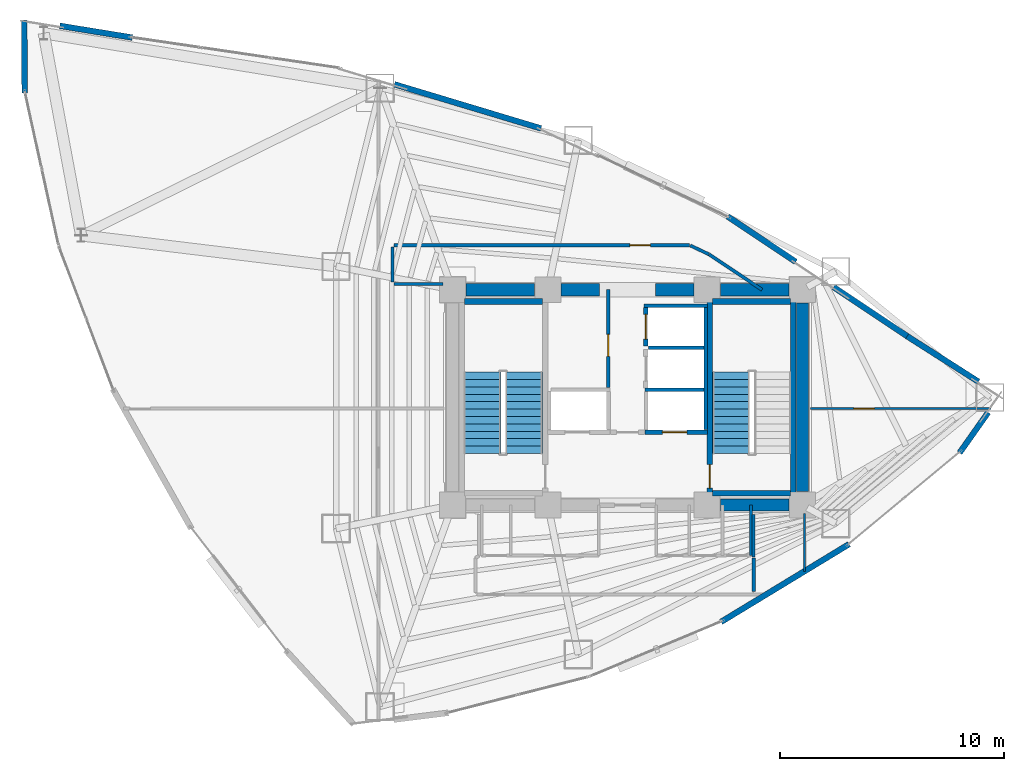
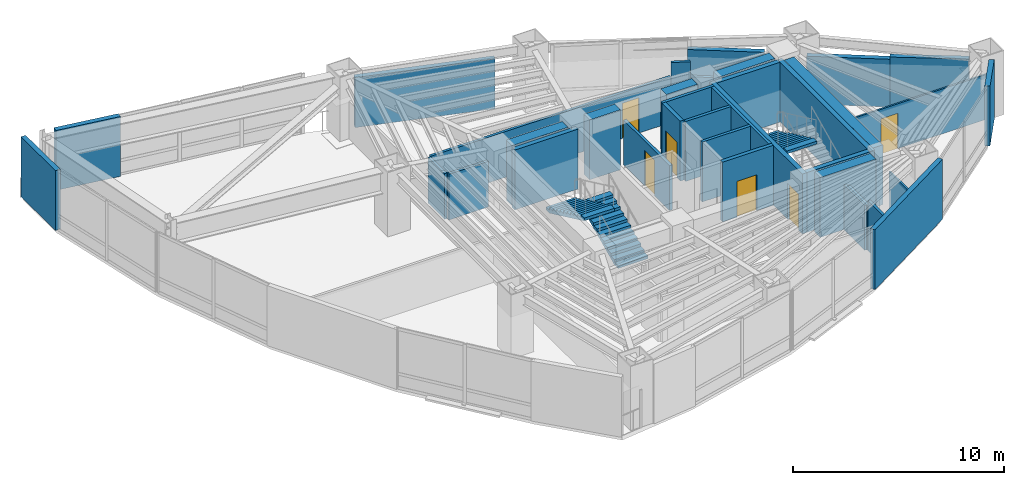
# One storey, part 20 of 23: 36 walls, 6 doors, 3 stair flights, 6 openings, 2 elements without a shape of their own.
"""IFC4 building model written with IfcOpenShell, lengths in metres."""

from ifc_helpers import new_model, si_unit, direction, frame, frame_2d, origin, place, context, subcontext, project, spatial, polyline, rectangle, outline, extrude, material, layer, layer_set, type_object, element, fill, aggregate, save


model = new_model("IFC4")

# Units and contexts
model_context = context("Model", 3, precision=1e-05, world=origin(), true_north=direction((0.0, 1.0)))
body_context = subcontext(model_context, "Body", "Model", "MODEL_VIEW")
ifc_project = project(units=[si_unit("LENGTHUNIT", "METRE"), si_unit("AREAUNIT", "SQUARE_METRE"), si_unit("VOLUMEUNIT", "CUBIC_METRE"), si_unit("PLANEANGLEUNIT", "RADIAN"), si_unit("MASSUNIT", "GRAM", prefix="KILO")], contexts=[model_context])

# Site, building, storey
site_placement = place(None, origin())
site = spatial("IfcSite", under=ifc_project, at=site_placement, CompositionType="ELEMENT")
building_placement = place(site_placement, origin())
building = spatial("IfcBuilding", under=site, at=building_placement, Name="Menara Vayukalpa", CompositionType="ELEMENT")
storey_placement = place(building_placement, frame((0.0, 0.0, 111.419921875)))
storey = spatial("IfcBuildingStorey", under=building, at=storey_placement, Name="L27", CompositionType="ELEMENT", Elevation=111.419921875)

# Walls
ifc_material_1 = material(Name="Concrete C60/75", Category="concrete")
ifc_layer_1 = layer(ifc_material_1, 0.550048828125)
ifc_layer_set_1 = layer_set([ifc_layer_1], Name="Concrete C60/75")
wall_type_1 = type_object("IfcWallType", Name="WAL-CW550", PredefinedType="SHEAR", material=ifc_layer_set_1)
wall_1_placement = place(storey_placement, frame((29.7451171875, 17.199951171875, 0.0), z_axis=(0.0, 0.0, 1.0), x_axis=(1.0, 0.0, 0.0)))
element("IfcWall", 1, at=wall_1_placement, inside=storey, type_object=wall_type_1, Name="L27 Buttressed Core Shear Wall CWS4", PredefinedType="SHEAR", context=body_context, shape_type="SweptSolid", body=[
    extrude(rectangle(XDim=3.059814453125, YDim=0.550048828125, at=frame_2d((1.52978515625, 0.0))), origin(), (0.0, 0.0, 1.0), 3.469970703125),
])
wall_2_placement = place(storey_placement, frame((18.39501953125, 26.800048828125, 0.0), z_axis=(0.0, 0.0, 1.0), x_axis=(1.0, 0.0, 0.0)))
element("IfcWall", 2, at=wall_2_placement, inside=storey, type_object=wall_type_1, Name="L27 Buttressed Core Shear Wall CWN1", PredefinedType="SHEAR", context=body_context, shape_type="SweptSolid", body=[
    extrude(rectangle(XDim=3.06005859375, YDim=0.550048828125, at=frame_2d((1.530029296875, 0.0))), origin(), (0.0, 0.0, 1.0), 3.469970703125),
])
wall_3_placement = place(storey_placement, frame((22.64501953125, 26.800048828125, 0.0), z_axis=(0.0, 0.0, 1.0), x_axis=(1.0, 0.0, 0.0)))
element("IfcWall", 3, at=wall_3_placement, inside=storey, type_object=wall_type_1, Name="L27 Buttressed Core Shear Wall CWN2", PredefinedType="SHEAR", context=body_context, shape_type="SweptSolid", body=[
    extrude(rectangle(XDim=1.705078125, YDim=0.550048828125, at=frame_2d((0.8525390625, 0.0))), origin(), (0.0, 0.0, 1.0), 3.469970703125),
])
wall_4_placement = place(storey_placement, frame((26.85009765625, 26.800048828125, 0.0), z_axis=(0.0, 0.0, 1.0), x_axis=(1.0, 0.0, 0.0)))
element("IfcWall", 4, at=wall_4_placement, inside=storey, type_object=wall_type_1, Name="L27 Buttressed Core Shear Wall CWN3", PredefinedType="SHEAR", context=body_context, shape_type="SweptSolid", body=[
    extrude(rectangle(XDim=1.704833984375, YDim=0.550048828125, at=frame_2d((0.8525390625, 0.0))), origin(), (0.0, 0.0, 1.0), 3.469970703125),
])
wall_5_placement = place(storey_placement, frame((29.7451171875, 26.800048828125, 0.0), z_axis=(0.0, 0.0, 1.0), x_axis=(1.0, 0.0, 0.0)))
element("IfcWall", 5, at=wall_5_placement, inside=storey, type_object=wall_type_1, Name="L27 Buttressed Core Shear Wall CWN4", PredefinedType="SHEAR", context=body_context, shape_type="SweptSolid", body=[
    extrude(rectangle(XDim=3.059814453125, YDim=0.550048828125, at=frame_2d((1.52978515625, 0.0))), origin(), (0.0, 0.0, 1.0), 3.469970703125),
])
wall_6_placement = place(storey_placement, frame((33.39990234375, 17.794921875, 0.0), z_axis=(0.0, 0.0, 1.0), x_axis=(0.0, 1.0, 0.0)))
element("IfcWall", 6, at=wall_6_placement, inside=storey, type_object=wall_type_1, Name="L27 Buttressed Core Shear Wall CWE1", PredefinedType="SHEAR", context=body_context, shape_type="SweptSolid", body=[
    extrude(rectangle(XDim=8.41015625, YDim=0.550048828125, at=frame_2d((4.205078125, 0.0))), origin(), (0.0, 0.0, 1.0), 3.469970703125),
])
ifc_material_2 = material(Name="Insulated Precast Concrete C40/50", Category="concrete")
ifc_layer_2 = layer(ifc_material_2, 0.260009765625)
ifc_layer_set_2 = layer_set([ifc_layer_2], Name="Insulated Precast Concrete C40/50")
wall_type_2 = type_object("IfcWallType", Name="WAL-EXT260", PredefinedType="PARTITIONING", material=ifc_layer_set_2)
wall_7_placement = place(storey_placement, frame((41.682373046875, 21.331298828125, 0.0), z_axis=(0.0, 0.0, 1.0), x_axis=(-0.577134204686, -0.816649318729, 0.0)))
element("IfcWall", 7, at=wall_7_placement, inside=storey, type_object=wall_type_2, Name="L27 Perimeter Terracotta Pier Wall 01", PredefinedType="PARTITIONING", context=body_context, shape_type="SweptSolid", body=[
    extrude(rectangle(XDim=2.2099609375, YDim=0.260009765625, at=frame_2d((1.10498046875, 0.0))), origin(), (0.0, 0.0, 1.0), 3.469970703125),
])
wall_8_placement = place(storey_placement, frame((38.07177734375, 24.726806640625, 0.0), z_axis=(0.0, 0.0, 1.0), x_axis=(0.843033549628, -0.537860980367, 0.0)))
element("IfcWall", 8, at=wall_8_placement, inside=storey, type_object=wall_type_2, Name="L27 Perimeter Terracotta Pier Wall 02", PredefinedType="PARTITIONING", context=body_context, shape_type="SweptSolid", body=[
    extrude(rectangle(XDim=3.765625, YDim=0.260009765625, at=frame_2d((1.8828125, 0.0))), origin(), (0.0, 0.0, 1.0), 2.900146484375),
])
wall_9_placement = place(storey_placement, frame((34.783203125, 26.92236328125, 0.0), z_axis=(0.0, 0.0, 1.0), x_axis=(0.831718676225, -0.555197301523, 0.0)))
element("IfcWall", 9, at=wall_9_placement, inside=storey, type_object=wall_type_2, Name="L27 Perimeter Terracotta Pier Wall 03", PredefinedType="PARTITIONING", context=body_context, shape_type="SweptSolid", body=[
    extrude(rectangle(XDim=3.966064453125, YDim=0.260009765625, at=frame_2d((1.98291015625, 0.0))), origin(), (0.0, 0.0, 1.0), 2.77001953125),
])
wall_10_placement = place(storey_placement, frame((30.069580078125, 30.06884765625, 0.0), z_axis=(0.0, 0.0, 1.0), x_axis=(0.831720838908, -0.555194061681, 0.0)))
element("IfcWall", 10, at=wall_10_placement, inside=storey, type_object=wall_type_2, Name="L27 Perimeter Terracotta Pier Wall 04", PredefinedType="PARTITIONING", context=body_context, shape_type="SweptSolid", body=[
    extrude(rectangle(XDim=3.64990234375, YDim=0.260009765625, at=frame_2d((1.824951171875, 0.0))), origin(), (0.0, 0.0, 1.0), 2.900146484375),
])
wall_11_placement = place(storey_placement, frame((15.205078125, 35.960693359375, 0.0), z_axis=(0.0, 0.0, 1.0), x_axis=(0.957547425539, -0.288275784351, 0.0)))
element("IfcWall", 11, at=wall_11_placement, inside=storey, type_object=wall_type_2, Name="L27 Perimeter Terracotta Pier Wall 06", PredefinedType="PARTITIONING", context=body_context, shape_type="SweptSolid", body=[
    extrude(rectangle(XDim=6.830322265625, YDim=0.260009765625, at=frame_2d((3.4150390625, 0.0))), origin(), (0.0, 0.0, 1.0), 2.900146484375),
])
wall_12_placement = place(storey_placement, frame((0.28759765625, 38.567626953125, 0.0), z_axis=(0.0, 0.0, 1.0), x_axis=(0.987086724939, -0.160186758031, 0.0)))
element("IfcWall", 12, at=wall_12_placement, inside=storey, type_object=wall_type_2, Name="L27 Perimeter Terracotta Pier Wall 08", PredefinedType="PARTITIONING", context=body_context, shape_type="SweptSolid", body=[
    extrude(rectangle(XDim=3.281494140625, YDim=0.260009765625, at=frame_2d((1.640625, 0.0))), origin(), (0.0, 0.0, 1.0), 3.469970703125),
])
wall_13_placement = place(storey_placement, frame((-1.2744140625, 35.567626953125, 0.0), z_axis=(0.0, 0.0, 1.0), x_axis=(-0.007419416555, 0.99997247575, 0.0)))
element("IfcWall", 13, at=wall_13_placement, inside=storey, type_object=wall_type_2, Name="L27 Perimeter Terracotta Pier Wall 09", PredefinedType="PARTITIONING", context=body_context, shape_type="SweptSolid", body=[
    extrude(rectangle(XDim=3.257568359375, YDim=0.260009765625, at=frame_2d((1.62890625, 0.0))), origin(), (0.0, 0.0, 1.0), 3.469970703125),
])
wall_14_placement = place(storey_placement, frame((35.47998046875, 15.455078125, 0.0), z_axis=(0.0, 0.0, 1.0), x_axis=(-0.854673977685, -0.51916509115, 0.0)))
element("IfcWall", 14, at=wall_14_placement, inside=storey, type_object=wall_type_2, Name="L27 Perimeter Terracotta Pier Wall 18", PredefinedType="PARTITIONING", context=body_context, shape_type="SweptSolid", body=[
    extrude(rectangle(XDim=6.678466796875, YDim=0.260009765625, at=frame_2d((3.33935546875, 0.0))), origin(), (0.0, 0.0, 1.0), 3.469970703125),
])
ifc_material_3 = material(Name="Lightweight Concrete Blockwork C16/20", Category="masonry")
ifc_layer_3 = layer(ifc_material_3, 0.159912109375)
ifc_layer_set_3 = layer_set([ifc_layer_3], Name="Lightweight Concrete Blockwork C16/20")
wall_type_3 = type_object("IfcWallType", Name="WAL-FR150", PredefinedType="PARTITIONING", material=ifc_layer_set_3)
wall_15_placement = place(storey_placement, frame((29.094970703125, 20.56005859375, 0.0), z_axis=(0.0, 0.0, 1.0), x_axis=(0.0, 1.0, 0.0)))
element("IfcWall", 15, at=wall_15_placement, inside=storey, type_object=wall_type_3, Name="L27 Interior Partition IW-L27-SHW-EE", PredefinedType="PARTITIONING", context=body_context, shape_type="SweptSolid", body=[
    extrude(rectangle(XDim=5.449951171875, YDim=0.159912109375, at=frame_2d((2.72509765625, 0.0))), origin(), (0.0, 0.0, 1.0), 3.469970703125),
])
wall_16_placement = place(storey_placement, frame((26.3701171875, 22.344970703125, 0.0), z_axis=(0.0, 0.0, 1.0), x_axis=(1.0, 0.0, 0.0)))
element("IfcWall", 16, at=wall_16_placement, inside=storey, type_object=wall_type_3, Name="L27 Interior Partition IW-L27-SHM-E13", PredefinedType="PARTITIONING", context=body_context, shape_type="SweptSolid", body=[
    extrude(rectangle(XDim=2.64990234375, YDim=0.159912109375, at=frame_2d((1.324951171875, 0.0))), origin(), (0.0, 0.0, 1.0), 3.469970703125),
])
wall_17_placement = place(storey_placement, frame((26.530029296875, 24.215087890625, 0.0), z_axis=(0.0, 0.0, 1.0), x_axis=(1.0, 0.0, 0.0)))
element("IfcWall", 17, at=wall_17_placement, inside=storey, type_object=wall_type_3, Name="L27 Interior Partition IW-L27-SHM-E32", PredefinedType="PARTITIONING", context=body_context, shape_type="SweptSolid", body=[
    extrude(rectangle(XDim=2.489990234375, YDim=0.159912109375, at=frame_2d((1.2451171875, 0.0))), origin(), (0.0, 0.0, 1.0), 3.469970703125),
])
wall_18_placement = place(storey_placement, frame((26.340087890625, 26.0849609375, 0.0), z_axis=(0.0, 0.0, 1.0), x_axis=(1.0, 0.0, 0.0)))
element("IfcWall", 18, at=wall_18_placement, inside=storey, type_object=wall_type_3, Name="L27 Interior Partition IW-L27-SHM-E2N", PredefinedType="PARTITIONING", context=body_context, shape_type="SweptSolid", body=[
    extrude(rectangle(XDim=2.829833984375, YDim=0.159912109375, at=frame_2d((1.4150390625, 0.0))), origin(), (0.0, 0.0, 1.0), 3.469970703125),
])

# Wall, opening, door
wall_19_placement = place(storey_placement, frame((24.739990234375, 22.429931640625, 0.0), z_axis=(0.0, 0.0, 1.0), x_axis=(0.0, 1.0, 0.0)))
wall_19 = element("IfcWall", 19, at=wall_19_placement, inside=storey, type_object=wall_type_3, Name="L27 Interior Partition IW-L27-LV7W", PredefinedType="PARTITIONING", context=body_context, shape_type="SweptSolid", body=[
    extrude(rectangle(XDim=4.3701171875, YDim=0.159912109375, at=frame_2d((2.18505859375, 0.0))), origin(), (0.0, 0.0, 1.0), 2.60009765625),
])
opening_1_placement = place(wall_19_placement, frame((1.39990234375, 0.0, 0.0)))
opening_1 = element("IfcOpeningElement", 20, at=opening_1_placement, cuts=wall_19, Name="Opening ID3", PredefinedType="OPENING", context=body_context, shape_type="SweptSolid", body=[
    extrude(rectangle(XDim=0.97998046875, YDim=2.06005859375, at=frame_2d((0.489990234375, 1.030029296875))), frame((0.0, 0.08984375, 0.0), z_axis=(0.0, -1.0, 0.0), x_axis=(1.0, 0.0, 0.0)), (0.0, 0.0, 1.0), 0.179931640625),
])
ifc_material_4 = material(Name="Fire-Rated Powder-Coated Steel Door", Category="steel")
door_type_1 = type_object("IfcDoorType", Name="DR-FD60", OperationType="NOTDEFINED", PredefinedType="DOOR", material=ifc_material_4)
door_1_placement = place(opening_1_placement, origin())
door_1 = element("IfcDoor", 21, at=door_1_placement, inside=storey, type_object=door_type_1, Name="L27 Interior Door DR-L27-LV7W", OperationType="SINGLE_SWING_RIGHT", OverallHeight=2.06005859375, OverallWidth=0.97998046875, PredefinedType="DOOR", context=body_context, shape_type="SweptSolid", body=[
    extrude(rectangle(XDim=0.97998046875, YDim=2.06005859375, at=frame_2d((0.489990234375, 1.030029296875))), frame((0.0, 0.02490234375, 0.0), z_axis=(0.0, -1.0, 0.0), x_axis=(1.0, 0.0, 0.0)), (0.0, 0.0, 1.0), 0.050048828125),
])
fill(opening_1, door_1)

ifc_material_5 = material(Name="Lightweight Concrete Blockwork C16/20", Category="masonry")
ifc_layer_4 = layer(ifc_material_5, 0.199951171875)
ifc_layer_set_4 = layer_set([ifc_layer_4], Name="Lightweight Concrete Blockwork C16/20")
wall_type_4 = type_object("IfcWallType", Name="WAL-FR200", PredefinedType="PARTITIONING", material=ifc_layer_set_4)
wall_20_placement = place(storey_placement, frame((26.3701171875, 20.449951171875, 0.0), z_axis=(0.0, 0.0, 1.0), x_axis=(1.0, 0.0, 0.0)))
wall_20 = element("IfcWall", 22, at=wall_20_placement, inside=storey, type_object=wall_type_4, Name="L27 Interior Partition IW-L27-SH-E1", PredefinedType="PARTITIONING", context=body_context, shape_type="SweptSolid", body=[
    extrude(rectangle(XDim=2.7998046875, YDim=0.199951171875, at=frame_2d((1.39990234375, 0.0))), origin(), (0.0, 0.0, 1.0), 3.469970703125),
])
opening_2_placement = place(wall_20_placement, frame((0.780029296875, 0.0, 0.0)))
opening_2 = element("IfcOpeningElement", 23, at=opening_2_placement, cuts=wall_20, Name="Opening LD1", PredefinedType="OPENING", context=body_context, shape_type="SweptSolid", body=[
    extrude(rectangle(XDim=1.10009765625, YDim=2.080078125, at=frame_2d((0.550048828125, 1.0400390625))), frame((0.0, 0.10986328125, 0.0), z_axis=(0.0, -1.0, 0.0), x_axis=(1.0, 0.0, 0.0)), (0.0, 0.0, 1.0), 0.219970703125),
])
ifc_material_6 = material(Name="Brushed Stainless Steel 316 Lift Door", Category="steel")
door_type_2 = type_object("IfcDoorType", Name="DR-LD110", OperationType="NOTDEFINED", PredefinedType="DOOR", material=ifc_material_6)
door_2_placement = place(opening_2_placement, origin())
door_2 = element("IfcDoor", 24, at=door_2_placement, inside=storey, type_object=door_type_2, Name="L27 Interior Door DR-L27-LD-E1", OperationType="DOUBLE_DOOR_SLIDING", OverallHeight=2.080078125, OverallWidth=1.10009765625, PredefinedType="DOOR", context=body_context, shape_type="SweptSolid", body=[
    extrude(rectangle(XDim=1.10009765625, YDim=2.080078125, at=frame_2d((0.550048828125, 1.0400390625))), frame((0.0, 0.02490234375, 0.0), z_axis=(0.0, -1.0, 0.0), x_axis=(1.0, 0.0, 0.0)), (0.0, 0.0, 1.0), 0.050048828125),
])
fill(opening_2, door_2)

wall_21_placement = place(storey_placement, frame((26.419921875, 24.2900390625, 0.0), z_axis=(0.0, 0.0, 1.0), x_axis=(0.0, 1.0, 0.0)))
wall_21 = element("IfcWall", 25, at=wall_21_placement, inside=storey, type_object=wall_type_4, Name="L27 Interior Partition IW-L27-SH-E2", PredefinedType="PARTITIONING", context=body_context, shape_type="SweptSolid", body=[
    extrude(rectangle(XDim=1.719970703125, YDim=0.199951171875, at=frame_2d((0.85986328125, 0.0))), origin(), (0.0, 0.0, 1.0), 3.469970703125),
])
opening_3_placement = place(wall_21_placement, frame((0.31005859375, 0.0, 0.0)))
opening_3 = element("IfcOpeningElement", 26, at=opening_3_placement, cuts=wall_21, Name="Opening LD1", PredefinedType="OPENING", context=body_context, shape_type="SweptSolid", body=[
    extrude(rectangle(XDim=1.10009765625, YDim=2.080078125, at=frame_2d((0.550048828125, 1.0400390625))), frame((0.0, 0.10986328125, 0.0), z_axis=(0.0, -1.0, 0.0), x_axis=(1.0, 0.0, 0.0)), (0.0, 0.0, 1.0), 0.219970703125),
])
door_3_placement = place(opening_3_placement, origin())
door_3 = element("IfcDoor", 27, at=door_3_placement, inside=storey, type_object=door_type_2, Name="L27 Interior Door DR-L27-LD-E2", OperationType="DOUBLE_DOOR_SLIDING", OverallHeight=2.080078125, OverallWidth=1.10009765625, PredefinedType="DOOR", context=body_context, shape_type="SweptSolid", body=[
    extrude(rectangle(XDim=1.10009765625, YDim=2.080078125, at=frame_2d((0.550048828125, 1.0400390625))), frame((0.0, 0.02490234375, 0.0), z_axis=(0.0, -1.0, 0.0), x_axis=(1.0, 0.0, 0.0)), (0.0, 0.0, 1.0), 0.050048828125),
])
fill(opening_3, door_3)

# Wall
ifc_material_7 = material(Name="Glazed Demountable Office Partition", Category="glass")
ifc_layer_5 = layer(ifc_material_7, 0.094970703125)
ifc_layer_set_5 = layer_set([ifc_layer_5], Name="Glazed Demountable Office Partition")
wall_type_5 = type_object("IfcWallType", Name="WAL-PT100", PredefinedType="PARTITIONING", material=ifc_layer_set_5)
wall_22_placement = place(storey_placement, frame((33.5, 14.24072265625, 0.0), z_axis=(0.0, 0.0, 1.0), x_axis=(0.0, 1.0, 0.0)))
element("IfcWall", 28, at=wall_22_placement, inside=storey, type_object=wall_type_5, Name="L27 Interior Partition IW-L27-RDIV02", PredefinedType="PARTITIONING", context=body_context, shape_type="SweptSolid", body=[
    extrude(rectangle(XDim=2.58935546875, YDim=0.094970703125, at=frame_2d((1.294677734375, 0.0))), origin(), (0.0, 0.0, 1.0), 2.60009765625),
])

# Wall, opening, door
wall_23_placement = place(storey_placement, frame((33.77001953125, 21.5, 0.0), z_axis=(0.0, 0.0, 1.0), x_axis=(1.0, 0.0, 0.0)))
wall_23 = element("IfcWall", 29, at=wall_23_placement, inside=storey, type_object=wall_type_5, Name="L27 Interior Partition IW-L27-RDIV04", PredefinedType="PARTITIONING", context=body_context, shape_type="SweptSolid", body=[
    extrude(rectangle(XDim=8.043701171875, YDim=0.094970703125, at=frame_2d((4.02197265625, 0.0))), origin(), (0.0, 0.0, 1.0), 2.60009765625),
])
opening_4_placement = place(wall_23_placement, frame((1.9208984375, 0.0, 0.0)))
opening_4 = element("IfcOpeningElement", 30, at=opening_4_placement, cuts=wall_23, Name="Opening ID6", PredefinedType="OPENING", context=body_context, shape_type="SweptSolid", body=[
    extrude(rectangle(XDim=0.919921875, YDim=2.050048828125, at=frame_2d((0.4599609375, 1.02490234375))), frame((0.0, 0.057373046875, 0.0), z_axis=(0.0, -1.0, 0.0), x_axis=(1.0, 0.0, 0.0)), (0.0, 0.0, 1.0), 0.114990234375),
])
ifc_material_8 = material(Name="Acoustic Hardwood Veneer Timber Door", Category="wood")
door_type_3 = type_object("IfcDoorType", Name="DR-INT92", OperationType="NOTDEFINED", PredefinedType="DOOR", material=ifc_material_8)
door_4_placement = place(opening_4_placement, origin())
door_4 = element("IfcDoor", 31, at=door_4_placement, inside=storey, type_object=door_type_3, Name="L27 Interior Door DR-L27-STE03", OperationType="SINGLE_SWING_RIGHT", OverallHeight=2.050048828125, OverallWidth=0.919921875, PredefinedType="DOOR", context=body_context, shape_type="SweptSolid", body=[
    extrude(rectangle(XDim=0.919921875, YDim=2.050048828125, at=frame_2d((0.4599609375, 1.02490234375))), frame((0.0, 0.02490234375, 0.0), z_axis=(0.0, -1.0, 0.0), x_axis=(1.0, 0.0, 0.0)), (0.0, 0.0, 1.0), 0.050048828125),
])
fill(opening_4, door_4)

# Walls
ifc_material_9 = material(Name="Gypsum Drywall Steel Stud Assembly", Category="steel")
ifc_layer_6 = layer(ifc_material_9, 0.125)
ifc_layer_set_6 = layer_set([ifc_layer_6], Name="Gypsum Drywall Steel Stud Assembly")
wall_type_6 = type_object("IfcWallType", Name="WAL-PT125", PredefinedType="PARTITIONING", material=ifc_layer_set_6)
wall_24_placement = place(storey_placement, frame((31.10009765625, 14.949951171875, 0.0), z_axis=(0.0, 0.0, 1.0), x_axis=(0.0, 1.0, 0.0)))
element("IfcWall", 32, at=wall_24_placement, inside=storey, type_object=wall_type_6, Name="L27 Interior Partition IW-L27-SVCD-07", PredefinedType="PARTITIONING", context=body_context, shape_type="SweptSolid", body=[
    extrude(rectangle(XDim=2.25, YDim=0.125, at=frame_2d((1.125, 0.0))), origin(), (0.0, 0.0, 1.0), 2.60009765625),
])
ifc_material_10 = material(Name="Gypsum Drywall Acoustic Stud Assembly", Category="masonry")
ifc_layer_7 = layer(ifc_material_10, 0.14501953125)
ifc_layer_set_7 = layer_set([ifc_layer_7], Name="Gypsum Drywall Acoustic Stud Assembly")
wall_type_7 = type_object("IfcWallType", Name="WAL-PT150", PredefinedType="PARTITIONING", material=ifc_layer_set_7)
wall_25_placement = place(storey_placement, frame((31.22998046875, 13.351318359375, 0.0), z_axis=(0.0, 0.0, 1.0), x_axis=(0.0, 1.0, 0.0)))
element("IfcWall", 33, at=wall_25_placement, inside=storey, type_object=wall_type_7, Name="L27 Interior Partition IW-L27-CRM02-4", PredefinedType="PARTITIONING", context=body_context, shape_type="SweptSolid", body=[
    extrude(rectangle(XDim=1.498779296875, YDim=0.14501953125, at=frame_2d((0.74951171875, 0.0))), origin(), (0.0, 0.0, 1.0), 2.900146484375),
])
wall_26_placement = place(storey_placement, frame((31.219970703125, 14.888671875, 0.0), z_axis=(0.0, 0.0, 1.0), x_axis=(0.0, 1.0, 0.0)))
element("IfcWall", 34, at=wall_26_placement, inside=storey, type_object=wall_type_7, Name="L27 Interior Partition IW-L27-CRM02-5", PredefinedType="PARTITIONING", context=body_context, shape_type="SweptSolid", body=[
    extrude(rectangle(XDim=1.891357421875, YDim=0.14501953125, at=frame_2d((0.94580078125, 0.0))), origin(), (0.0, 0.0, 1.0), 2.60009765625),
])
wall_27_placement = place(storey_placement, frame((31.598388671875, 26.800048828125, 0.0), z_axis=(0.0, 0.0, 1.0), x_axis=(-0.831758510993, 0.555137622028, 0.0)))
element("IfcWall", 35, at=wall_27_placement, inside=storey, type_object=wall_type_7, Name="L27 Interior Partition IW-L27-CRM04-1", PredefinedType="PARTITIONING", context=body_context, shape_type="SweptSolid", body=[
    extrude(rectangle(XDim=2.8330078125, YDim=0.14501953125, at=frame_2d((1.41650390625, 0.0))), origin(), (0.0, 0.0, 1.0), 2.60009765625),
])
wall_28_placement = place(storey_placement, frame((29.231689453125, 28.378662109375, 0.0), z_axis=(0.0, 0.0, 1.0), x_axis=(-0.903829701814, 0.427892358098, 0.0)))
element("IfcWall", 36, at=wall_28_placement, inside=storey, type_object=wall_type_7, Name="L27 Interior Partition IW-L27-CRM04-2", PredefinedType="PARTITIONING", context=body_context, shape_type="SweptSolid", body=[
    extrude(rectangle(XDim=0.919677734375, YDim=0.14501953125, at=frame_2d((0.4599609375, 0.0))), origin(), (0.0, 0.0, 1.0), 3.469970703125),
])

# Wall, opening, door
wall_29_placement = place(storey_placement, frame((28.3662109375, 28.780029296875, 0.0), z_axis=(0.0, 0.0, 1.0), x_axis=(-1.0, 0.0, 0.0)))
wall_29 = element("IfcWall", 37, at=wall_29_placement, inside=storey, type_object=wall_type_7, Name="L27 Interior Partition IW-L27-CRM04-3", PredefinedType="PARTITIONING", context=body_context, shape_type="SweptSolid", body=[
    extrude(rectangle(XDim=13.166259765625, YDim=0.14501953125, at=frame_2d((6.5830078125, 0.0))), origin(), (0.0, 0.0, 1.0), 2.650146484375),
])
opening_5_placement = place(wall_29_placement, frame((1.74072265625, 0.0, 0.0)))
opening_5 = element("IfcOpeningElement", 38, at=opening_5_placement, cuts=wall_29, Name="Opening ID6", PredefinedType="OPENING", context=body_context, shape_type="SweptSolid", body=[
    extrude(rectangle(XDim=0.919921875, YDim=2.050048828125, at=frame_2d((0.4599609375, 1.02490234375))), frame((0.0, 0.08251953125, 0.0), z_axis=(0.0, -1.0, 0.0), x_axis=(1.0, 0.0, 0.0)), (0.0, 0.0, 1.0), 0.1650390625),
])
door_5_placement = place(opening_5_placement, origin())
door_5 = element("IfcDoor", 39, at=door_5_placement, inside=storey, type_object=door_type_3, Name="L27 Interior Door DR-L27-RM04", OperationType="SINGLE_SWING_LEFT", OverallHeight=2.050048828125, OverallWidth=0.919921875, PredefinedType="DOOR", context=body_context, shape_type="SweptSolid", body=[
    extrude(rectangle(XDim=0.919921875, YDim=2.050048828125, at=frame_2d((0.4599609375, 1.02490234375))), frame((0.0, 0.02490234375, 0.0), z_axis=(0.0, -1.0, 0.0), x_axis=(1.0, 0.0, 0.0)), (0.0, 0.0, 1.0), 0.050048828125),
])
fill(opening_5, door_5)

# Walls
wall_30_placement = place(storey_placement, frame((15.1201171875, 28.699951171875, 0.0), z_axis=(0.0, 0.0, 1.0), x_axis=(0.0, -1.0, 0.0)))
element("IfcWall", 40, at=wall_30_placement, inside=storey, type_object=wall_type_7, Name="L27 Interior Partition IW-L27-CRM04-4", PredefinedType="PARTITIONING", context=body_context, shape_type="SweptSolid", body=[
    extrude(rectangle(XDim=1.56005859375, YDim=0.14501953125, at=frame_2d((0.780029296875, 0.0))), origin(), (0.0, 0.0, 1.0), 2.650146484375),
])
wall_31_placement = place(storey_placement, frame((15.199951171875, 27.06005859375, 0.0), z_axis=(0.0, 0.0, 1.0), x_axis=(1.0, 0.0, 0.0)))
element("IfcWall", 41, at=wall_31_placement, inside=storey, type_object=wall_type_7, Name="L27 Interior Partition IW-L27-CRM04-5", PredefinedType="PARTITIONING", context=body_context, shape_type="SweptSolid", body=[
    extrude(rectangle(XDim=2.179931640625, YDim=0.14501953125, at=frame_2d((1.08984375, 0.0))), origin(), (0.0, 0.0, 1.0), 2.650146484375),
])
ifc_material_11 = material(Name="Concrete C50/60", Category="concrete")
ifc_layer_8 = layer(ifc_material_11, 0.25)
ifc_layer_set_8 = layer_set([ifc_layer_8], Name="Concrete C50/60")
wall_type_8 = type_object("IfcWallType", Name="WAL-SW250", PredefinedType="SHEAR", material=ifc_layer_set_8)
wall_32_placement = place(storey_placement, frame((18.3291015625, 26.27490234375, 0.0), z_axis=(0.0, 0.0, 1.0), x_axis=(1.0, 0.0, 0.0)))
element("IfcWall", 42, at=wall_32_placement, inside=storey, type_object=wall_type_8, Name="L27 ST1 Structural Stair Shaft Wall N", PredefinedType="SHEAR", context=body_context, shape_type="SweptSolid", body=[
    extrude(rectangle(XDim=3.470947265625, YDim=0.25, at=frame_2d((1.7353515625, 0.0))), origin(), (0.0, 0.0, 1.0), 3.469970703125),
])

# Wall, opening, door
wall_33_placement = place(storey_placement, frame((29.27490234375, 17.60009765625, 0.0), z_axis=(0.0, 0.0, 1.0), x_axis=(0.0, 1.0, 0.0)))
wall_33 = element("IfcWall", 43, at=wall_33_placement, inside=storey, type_object=wall_type_8, Name="L27 ST2 Structural Stair Shaft Wall W", PredefinedType="SHEAR", context=body_context, shape_type="SweptSolid", body=[
    extrude(rectangle(XDim=8.7998046875, YDim=0.25, at=frame_2d((4.39990234375, 0.0))), origin(), (0.0, 0.0, 1.0), 3.469970703125),
])
opening_6_placement = place(wall_33_placement, frame((0.35009765625, 0.0, 0.0)))
opening_6 = element("IfcOpeningElement", 44, at=opening_6_placement, cuts=wall_33, Name="Opening ID1", PredefinedType="OPENING", context=body_context, shape_type="SweptSolid", body=[
    extrude(rectangle(XDim=1.050048828125, YDim=2.080078125, at=frame_2d((0.52490234375, 1.0400390625))), frame((0.0, 0.135009765625, 0.0), z_axis=(0.0, -1.0, 0.0), x_axis=(1.0, 0.0, 0.0)), (0.0, 0.0, 1.0), 0.27001953125),
])
ifc_material_12 = material(Name="Fire-Rated Powder-Coated Steel Door", Category="steel")
door_type_4 = type_object("IfcDoorType", Name="DR-FD120", OperationType="NOTDEFINED", PredefinedType="DOOR", material=ifc_material_12)
door_6_placement = place(opening_6_placement, origin())
door_6 = element("IfcDoor", 45, at=door_6_placement, inside=storey, type_object=door_type_4, Name="L27 Stair Exit Door DR-L27-ST2", OperationType="SINGLE_SWING_RIGHT", OverallHeight=2.080078125, OverallWidth=1.050048828125, PredefinedType="DOOR", context=body_context, shape_type="SweptSolid", body=[
    extrude(rectangle(XDim=1.050048828125, YDim=2.080078125, at=frame_2d((0.52490234375, 1.0400390625))), frame((0.0, 0.02490234375, 0.0), z_axis=(0.0, -1.0, 0.0), x_axis=(1.0, 0.0, 0.0)), (0.0, 0.0, 1.0), 0.050048828125),
])
fill(opening_6, door_6)

# Walls
wall_34_placement = place(storey_placement, frame((32.99609375, 17.60009765625, 0.0), z_axis=(0.0, 0.0, 1.0), x_axis=(0.0, 1.0, 0.0)))
element("IfcWall", 46, at=wall_34_placement, inside=storey, type_object=wall_type_8, Name="L27 ST2 Structural Stair Shaft Wall E", PredefinedType="SHEAR", context=body_context, shape_type="SweptSolid", body=[
    extrude(rectangle(XDim=8.7998046875, YDim=0.25, at=frame_2d((4.39990234375, 0.0))), origin(), (0.0, 0.0, 1.0), 3.469970703125),
])
for number, where, z_axis, x_axis, name in (
    (47, (29.39990234375, 17.72509765625, 0.0), (0.0, 0.0, 1.0), (1.0, 0.0, 0.0), "L27 ST2 Structural Stair Shaft Wall S"),
    (48, (29.39990234375, 26.27490234375, 0.0), (0.0, 0.0, 1.0), (1.0, 0.0, 0.0), "L27 ST2 Structural Stair Shaft Wall N"),
):
    element("IfcWall", number, at=place(storey_placement, frame(where, z_axis=z_axis, x_axis=x_axis)), inside=storey, type_object=wall_type_8, Name=name, PredefinedType="SHEAR", context=body_context, shape_type="SweptSolid", body=[
        extrude(rectangle(XDim=3.47119140625, YDim=0.25, at=frame_2d((1.735595703125, 0.0))), origin(), (0.0, 0.0, 1.0), 3.469970703125),
    ])

# Stair, stair flights
ifc_material_13 = material(Name="Precast Concrete C40/50", Category="concrete")
stair_type = type_object("IfcStairType", Name="STR-T04", PredefinedType="DOUBLE_RETURN_STAIR", material=ifc_material_13)
stair_1_placement = place(storey_placement, origin())
stair_1 = element("IfcStair", 49, at=stair_1_placement, inside=storey, type_object=stair_type, Name="L27 Core Exit Stair ST-1", PredefinedType="DOUBLE_RETURN_STAIR")
ifc_material_14 = material(Name="Precast Concrete C40/50", Category="concrete")
stair_flight_type = type_object("IfcStairFlightType", Name="STF-T04", PredefinedType="STRAIGHT", material=ifc_material_14)
stair_flight_1_placement = place(storey_placement, frame((20.97509765625, 19.5, 0.0), z_axis=(0.0, 0.0, 1.0), x_axis=(0.0, 1.0, 0.0)))
stair_flight_1 = element("IfcStairFlight", 50, at=stair_flight_1_placement, type_object=stair_flight_type, Name="ST-1 flight 1", NumberOfRisers=12, NumberOfTreads=11, PredefinedType="STRAIGHT", RiserHeight=0.155, TreadLength=0.33, context=body_context, shape_type="SweptSolid", body=[
    extrude(outline(polyline([(0.0, 0.0), (0.0, 0.155029296875), (0.330078125, 0.155029296875), (0.330078125, 0.31005859375), (0.659912109375, 0.31005859375), (0.659912109375, 0.465087890625), (0.989990234375, 0.465087890625), (0.989990234375, 0.6201171875), (1.320068359375, 0.6201171875), (1.320068359375, 0.77490234375), (1.64990234375, 0.77490234375), (1.64990234375, 0.929931640625), (1.97998046875, 0.929931640625), (1.97998046875, 1.0849609375), (2.31005859375, 1.0849609375), (2.31005859375, 1.239990234375), (2.639892578125, 1.239990234375), (2.639892578125, 1.39501953125), (2.969970703125, 1.39501953125), (2.969970703125, 1.550048828125), (3.300048828125, 1.550048828125), (3.300048828125, 1.705078125), (3.6298828125, 1.705078125), (3.6298828125, 1.860107421875), (3.6298828125, 1.539306640625), (0.3525390625, 0.0), (0.0, 0.0)])), frame((0.0, 0.824951171875, 0.0), z_axis=(0.0, -1.0, 0.0), x_axis=(1.0, 0.0, 0.0)), (0.0, 0.0, 1.0), 1.64990234375),
])
stair_flight_2_placement = place(storey_placement, frame((19.125, 23.1298828125, 1.860107421875), z_axis=(0.0, 0.0, 1.0), x_axis=(0.0, -1.0, 0.0)))
stair_flight_2 = element("IfcStairFlight", 51, at=stair_flight_2_placement, type_object=stair_flight_type, Name="ST-1 flight 2", NumberOfRisers=12, NumberOfTreads=11, PredefinedType="STRAIGHT", RiserHeight=0.155, TreadLength=0.33, context=body_context, shape_type="SweptSolid", body=[
    extrude(outline(polyline([(0.0, 0.0), (0.0, 0.155029296875), (0.330078125, 0.155029296875), (0.330078125, 0.31005859375), (0.659912109375, 0.31005859375), (0.659912109375, 0.465087890625), (0.989990234375, 0.465087890625), (0.989990234375, 0.6201171875), (1.320068359375, 0.6201171875), (1.320068359375, 0.77490234375), (1.64990234375, 0.77490234375), (1.64990234375, 0.929931640625), (1.97998046875, 0.929931640625), (1.97998046875, 1.0849609375), (2.31005859375, 1.0849609375), (2.31005859375, 1.239990234375), (2.639892578125, 1.239990234375), (2.639892578125, 1.39501953125), (2.969970703125, 1.39501953125), (2.969970703125, 1.550048828125), (3.300048828125, 1.550048828125), (3.300048828125, 1.705078125), (3.6298828125, 1.705078125), (3.6298828125, 1.860107421875), (3.6298828125, 1.539306640625), (0.3525390625, 0.0), (0.0, 0.0)])), frame((0.0, 0.824951171875, 0.0), z_axis=(0.0, -1.0, 0.0), x_axis=(1.0, 0.0, 0.0)), (0.0, 0.0, 1.0), 1.64990234375),
])
aggregate(stair_1, [stair_flight_1, stair_flight_2])

# Stair, stair flight
stair_2_placement = place(storey_placement, origin())
stair_2 = element("IfcStair", 52, at=stair_2_placement, inside=storey, type_object=stair_type, Name="L27 Core Exit Stair ST-2", PredefinedType="DOUBLE_RETURN_STAIR")
stair_flight_3_placement = place(storey_placement, frame((30.22509765625, 23.1298828125, 1.860107421875), z_axis=(0.0, 0.0, 1.0), x_axis=(0.0, -1.0, 0.0)))
stair_flight_3 = element("IfcStairFlight", 53, at=stair_flight_3_placement, type_object=stair_flight_type, Name="ST-2 flight 2", NumberOfRisers=12, NumberOfTreads=11, PredefinedType="STRAIGHT", RiserHeight=0.155, TreadLength=0.33, context=body_context, shape_type="SweptSolid", body=[
    extrude(outline(polyline([(0.0, 0.0), (0.0, 0.155029296875), (0.330078125, 0.155029296875), (0.330078125, 0.31005859375), (0.659912109375, 0.31005859375), (0.659912109375, 0.465087890625), (0.989990234375, 0.465087890625), (0.989990234375, 0.6201171875), (1.320068359375, 0.6201171875), (1.320068359375, 0.77490234375), (1.64990234375, 0.77490234375), (1.64990234375, 0.929931640625), (1.97998046875, 0.929931640625), (1.97998046875, 1.0849609375), (2.31005859375, 1.0849609375), (2.31005859375, 1.239990234375), (2.639892578125, 1.239990234375), (2.639892578125, 1.39501953125), (2.969970703125, 1.39501953125), (2.969970703125, 1.550048828125), (3.300048828125, 1.550048828125), (3.300048828125, 1.705078125), (3.6298828125, 1.705078125), (3.6298828125, 1.860107421875), (3.6298828125, 1.539306640625), (0.3525390625, 0.0), (0.0, 0.0)])), frame((0.0, 0.824951171875, 0.0), z_axis=(0.0, -1.0, 0.0), x_axis=(1.0, 0.0, 0.0)), (0.0, 0.0, 1.0), 1.64990234375),
])
aggregate(stair_2, [stair_flight_3])

save(model, "model.ifc")
